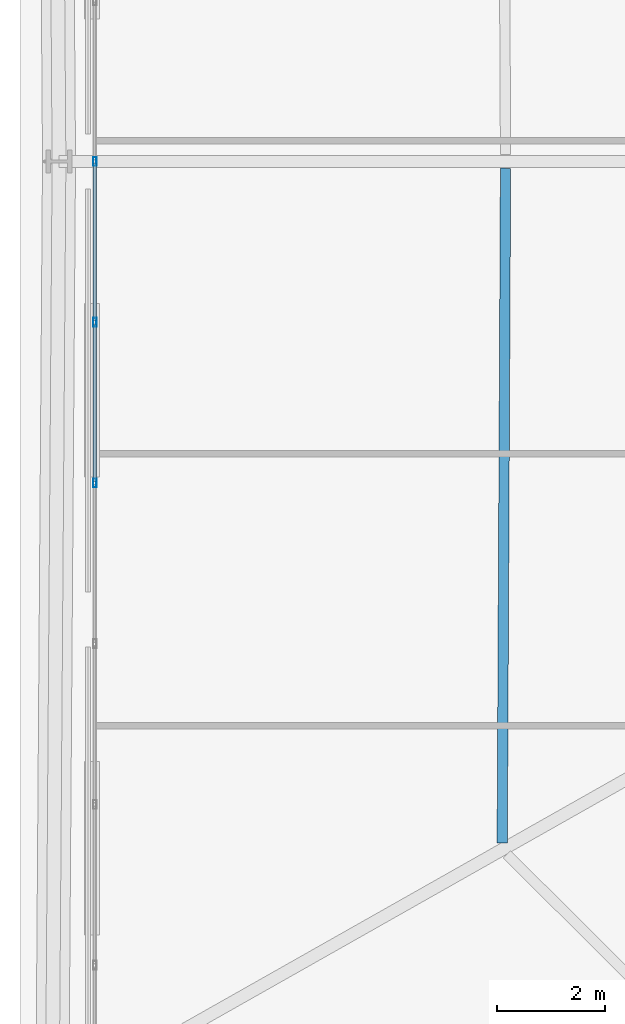
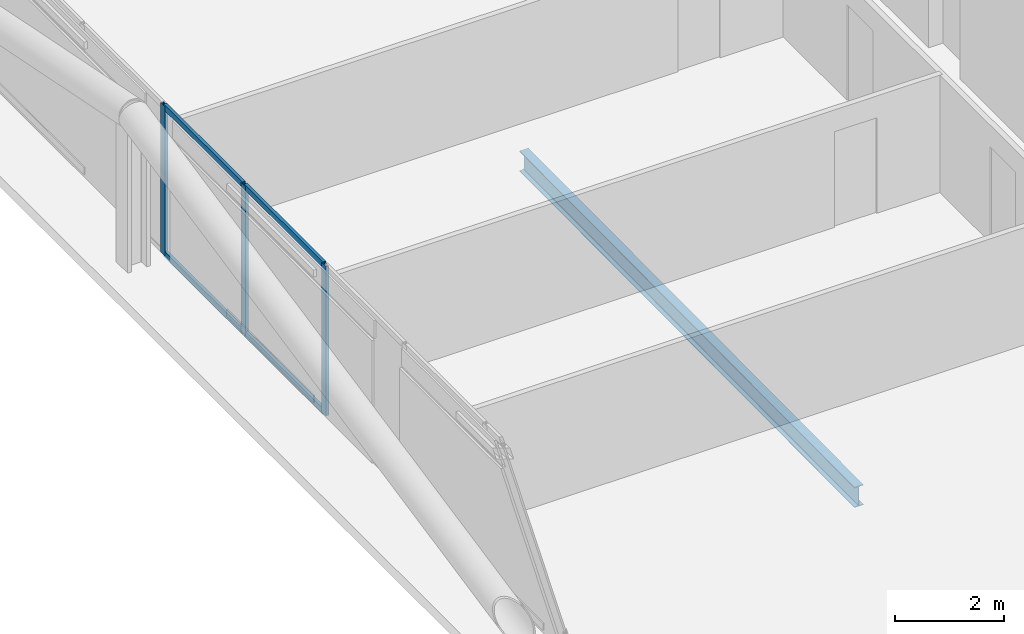
# One storey, part 13 of 50: 7 members, 1 beam, 1 element without a shape of its own.
"""IFC4 building model written with IfcOpenShell, lengths in metres."""

from ifc_helpers import new_model, si_unit, direction, frame, origin, origin_2d, place, context, subcontext, project, spatial, hollow_rectangle, i_section, extrude, material, layer, layer_set, material_profile, profile_set, type_object, element, aggregate, save


model = new_model("IFC4")

# Units and contexts
model_context = context("Model", 3, precision=1e-05, world=origin(), true_north=direction((0.0, 1.0)))
body_context = subcontext(model_context, "Body", "Model", "MODEL_VIEW")
ifc_project = project(units=[si_unit("LENGTHUNIT", "METRE"), si_unit("AREAUNIT", "SQUARE_METRE"), si_unit("VOLUMEUNIT", "CUBIC_METRE"), si_unit("PLANEANGLEUNIT", "RADIAN"), si_unit("MASSUNIT", "GRAM", prefix="KILO")], contexts=[model_context])

# Site, building, storey
site_placement = place(None, origin())
site = spatial("IfcSite", under=ifc_project, at=site_placement, CompositionType="ELEMENT")
building_placement = place(site_placement, origin())
building = spatial("IfcBuilding", under=site, at=building_placement, Name="Caelvoria Tower", CompositionType="ELEMENT")
storey_placement = place(building_placement, frame((0.0, 0.0, 71.199951171875)))
storey = spatial("IfcBuildingStorey", under=building, at=storey_placement, Name="L18", CompositionType="ELEMENT", Elevation=71.199951171875)

# Curtain wall, members
ifc_material_1 = material(Name="Anodised Bronze Aluminium and Low-E Glass", Category="aluminium")
ifc_layer = layer(ifc_material_1, 0.18505859375, Name="Anodised Bronze Aluminium and Low-E Glass")
ifc_layer_set = layer_set([ifc_layer], Name="CW System 2 Lower Tower Bronze Unitised Facade - Anodised Bronze Aluminium and Low-E Glass")
curtain_wall_type = type_object("IfcCurtainWallType", Name="CW System 2 Lower Tower Bronze Unitised Facade", PredefinedType="NOTDEFINED", material=ifc_layer_set)
curtain_wall_placement = place(storey_placement, origin())
curtain_wall = element("IfcCurtainWall", 1, at=curtain_wall_placement, inside=storey, type_object=curtain_wall_type, Name="CW-02 Curtain Wall L18-E6", PredefinedType="NOTDEFINED")
ifc_material_2 = material(Name="Anodised Bronze Architectural Aluminium", Category="aluminium")
ifc_material_profile_1 = material_profile(ifc_material_2, hollow_rectangle(XDim=0.06494140625, YDim=0.159912109375, WallThickness=0.00390625, at=origin_2d()), Name="Anodised Bronze Architectural Aluminium")
ifc_profile_set_1 = profile_set([ifc_material_profile_1], Name="CW_MULL_65X160 - Anodised Bronze Architectural Aluminium")
member_type_1 = type_object("IfcMemberType", Name="Curtain Wall Mullion 65x160 Bronze Aluminium", PredefinedType="MULLION", material=ifc_profile_set_1)
member_1_placement = place(storey_placement, frame((21.179931640625, 32.0, 0.0), z_axis=(0.0, 0.0, 1.0), x_axis=(1.0, 0.0, 0.0)))
member_1 = element("IfcMember", 2, at=member_1_placement, type_object=member_type_1, Name="CW-02 mullion 7", PredefinedType="MULLION", context=body_context, shape_type="SweptSolid", body=[
    extrude(hollow_rectangle(XDim=0.06494140625, YDim=0.159912109375, WallThickness=0.00390625, at=origin_2d()), origin(), (0.0, 0.0, 1.0), 3.360107421875),
])
member_2_placement = place(storey_placement, frame((21.179931640625, 29.033447265625, 0.0), z_axis=(0.0, 0.0, 1.0), x_axis=(1.0, 0.0, 0.0)))
member_2 = element("IfcMember", 3, at=member_2_placement, type_object=member_type_1, Name="CW-02 mullion 8", PredefinedType="MULLION", context=body_context, shape_type="SweptSolid", body=[
    extrude(hollow_rectangle(XDim=0.06494140625, YDim=0.159912109375, WallThickness=0.00390625, at=origin_2d()), origin(), (0.0, 0.0, 1.0), 3.360107421875),
])
member_3_placement = place(storey_placement, frame((21.179931640625, 26.066650390625, 0.0), z_axis=(0.0, 0.0, 1.0), x_axis=(1.0, 0.0, 0.0)))
member_3 = element("IfcMember", 4, at=member_3_placement, type_object=member_type_1, Name="CW-02 mullion 9", PredefinedType="MULLION", context=body_context, shape_type="SweptSolid", body=[
    extrude(hollow_rectangle(XDim=0.06494140625, YDim=0.159912109375, WallThickness=0.00390625, at=origin_2d()), origin(), (0.0, 0.0, 1.0), 3.360107421875),
])
ifc_material_profile_2 = material_profile(ifc_material_2, hollow_rectangle(XDim=0.06494140625, YDim=0.1298828125, WallThickness=0.00341796875, at=origin_2d()), Name="Anodised Bronze Architectural Aluminium")
ifc_profile_set_2 = profile_set([ifc_material_profile_2], Name="CW_TRAN_65X130 - Anodised Bronze Architectural Aluminium")
member_type_2 = type_object("IfcMemberType", Name="Curtain Wall Transom 65x130 Bronze Aluminium", PredefinedType="USERDEFINED", material=ifc_profile_set_2)
member_4_placement = place(storey_placement, frame((21.179931640625, 31.967529296875, 0.032470703125), z_axis=(0.0, -1.0, 0.0), x_axis=(1.0, 0.0, 0.0)))
member_4 = element("IfcMember", 5, at=member_4_placement, type_object=member_type_2, Name="CW-02 transom 7.1", ObjectType="TRANSOM", PredefinedType="USERDEFINED", context=body_context, shape_type="SweptSolid", body=[
    extrude(hollow_rectangle(XDim=0.06494140625, YDim=0.1298828125, WallThickness=0.00341796875, at=origin_2d()), origin(), (0.0, 0.0, 1.0), 2.901611328125),
])
member_5_placement = place(storey_placement, frame((21.179931640625, 31.967529296875, 3.32763671875), z_axis=(0.0, -1.0, 0.0), x_axis=(1.0, 0.0, 0.0)))
member_5 = element("IfcMember", 6, at=member_5_placement, type_object=member_type_2, Name="CW-02 transom 7.2", ObjectType="TRANSOM", PredefinedType="USERDEFINED", context=body_context, shape_type="SweptSolid", body=[
    extrude(hollow_rectangle(XDim=0.06494140625, YDim=0.1298828125, WallThickness=0.00341796875, at=origin_2d()), origin(), (0.0, 0.0, 1.0), 2.901611328125),
])
member_6_placement = place(storey_placement, frame((21.179931640625, 29.000732421875, 0.032470703125), z_axis=(0.0, -1.0, 0.0), x_axis=(1.0, 0.0, 0.0)))
member_6 = element("IfcMember", 7, at=member_6_placement, type_object=member_type_2, Name="CW-02 transom 8.1", ObjectType="TRANSOM", PredefinedType="USERDEFINED", context=body_context, shape_type="SweptSolid", body=[
    extrude(hollow_rectangle(XDim=0.06494140625, YDim=0.1298828125, WallThickness=0.00341796875, at=origin_2d()), origin(), (0.0, 0.0, 1.0), 2.901611328125),
])
member_7_placement = place(storey_placement, frame((21.179931640625, 29.000732421875, 3.32763671875), z_axis=(0.0, -1.0, 0.0), x_axis=(1.0, 0.0, 0.0)))
member_7 = element("IfcMember", 8, at=member_7_placement, type_object=member_type_2, Name="CW-02 transom 8.2", ObjectType="TRANSOM", PredefinedType="USERDEFINED", context=body_context, shape_type="SweptSolid", body=[
    extrude(hollow_rectangle(XDim=0.06494140625, YDim=0.1298828125, WallThickness=0.00341796875, at=origin_2d()), origin(), (0.0, 0.0, 1.0), 2.901611328125),
])
aggregate(curtain_wall, [member_1, member_2, member_3, member_4, member_5, member_6, member_7])

# Beam
ifc_material_3 = material(Name="Structural Steel ASTM A992 Gr.50", Category="steel")
ifc_material_profile_3 = material_profile(ifc_material_3, i_section(OverallWidth=0.18994140625, OverallDepth=0.45703125, WebThickness=0.009033203125, FlangeThickness=0.014404296875, FilletRadius=0.014892578125, at=origin_2d()), Name="Structural Steel ASTM A992 Gr.50")
ifc_profile_set_3 = profile_set([ifc_material_profile_3], Name="W460X74 - Structural Steel ASTM A992 Gr.50")
beam_type = type_object("IfcBeamType", Name="Secondary Floor Beam W460X74", PredefinedType="BEAM", material=ifc_profile_set_3)
beam_placement = place(storey_placement, frame((28.759521484375, 31.875, -0.468505859375), z_axis=(-0.004903247847, -0.999987979008, 0.0), x_axis=(0.999987979008, -0.004903247847, 0.0)))
element("IfcBeam", 9, at=beam_placement, inside=storey, type_object=beam_type, Name="Secondary Floor Beam L18-10", PredefinedType="BEAM", context=body_context, shape_type="SweptSolid", body=[
    extrude(i_section(OverallWidth=0.18994140625, OverallDepth=0.45703125, WebThickness=0.009033203125, FlangeThickness=0.014404296875, FilletRadius=0.014892578125, at=origin_2d()), origin(), (0.0, 0.0, 1.0), 12.447998046875),
])

save(model, "model.ifc")
